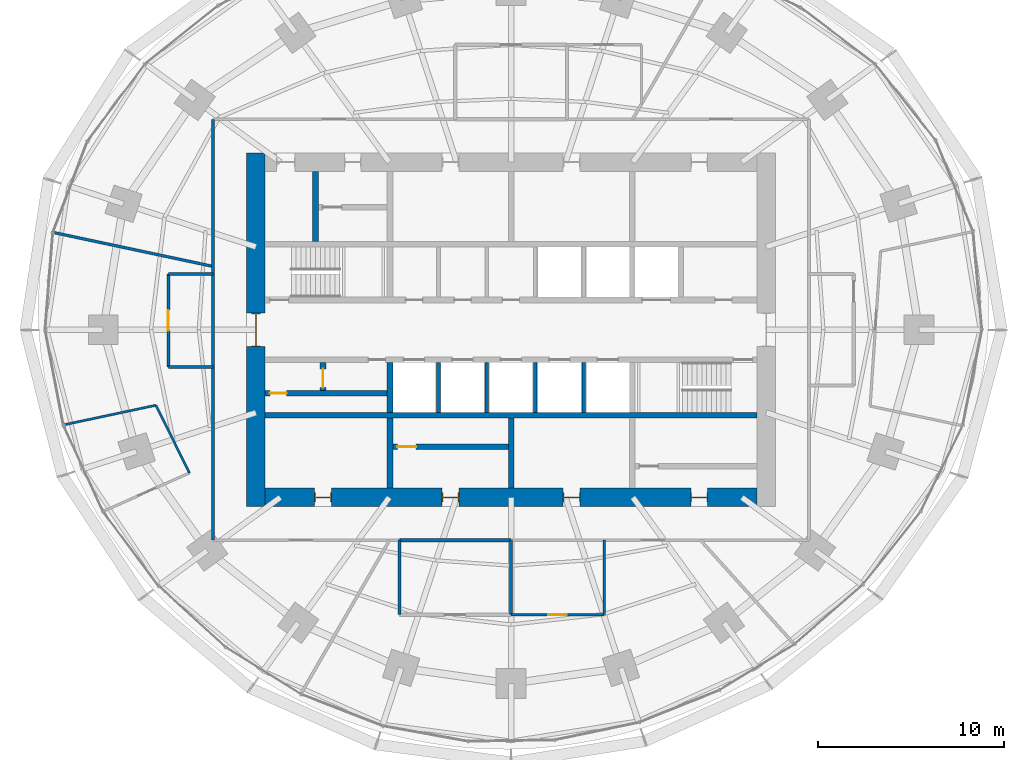
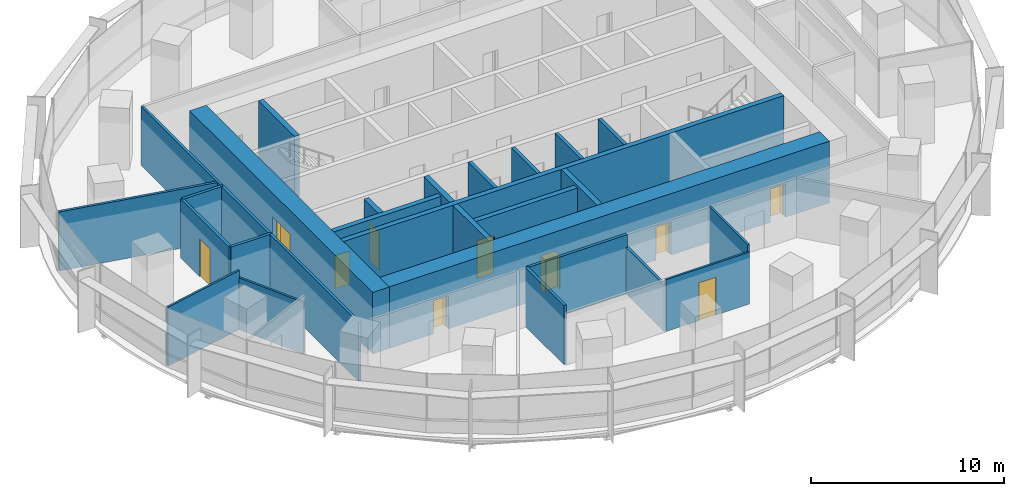
# One storey, part 10 of 14: 28 walls, 10 doors, 10 openings.
"""IFC4 building model written with IfcOpenShell, lengths in metres."""

from ifc_helpers import new_model, si_unit, direction, frame, frame_2d, origin, place, context, subcontext, project, spatial, rectangle, extrude, material, layer, layer_set, type_object, element, fill, save


model = new_model("IFC4")

# Units and contexts
model_context = context("Model", 3, precision=1e-05, world=origin(), true_north=direction((0.0, 1.0)))
body_context = subcontext(model_context, "Body", "Model", "MODEL_VIEW")
ifc_project = project(units=[si_unit("LENGTHUNIT", "METRE"), si_unit("AREAUNIT", "SQUARE_METRE"), si_unit("VOLUMEUNIT", "CUBIC_METRE"), si_unit("PLANEANGLEUNIT", "RADIAN"), si_unit("MASSUNIT", "GRAM", prefix="KILO")], contexts=[model_context])

# Site, building, storey
site_placement = place(None, origin())
site = spatial("IfcSite", under=ifc_project, at=site_placement, CompositionType="ELEMENT")
building_placement = place(site_placement, origin())
building = spatial("IfcBuilding", under=site, at=building_placement, Name="Marramba Exchange Tower", CompositionType="ELEMENT")
storey_placement = place(building_placement, frame((0.0, 0.0, 115.800048828125)))
storey = spatial("IfcBuildingStorey", under=building, at=storey_placement, Name="L27", CompositionType="ELEMENT", Elevation=115.800048828125)

# Walls
ifc_material_1 = material(Name="Plasterboard on staggered double steel studs, acoustic insulation", Category="steel")
ifc_layer_1 = layer(ifc_material_1, 0.169921875)
ifc_layer_set_1 = layer_set([ifc_layer_1], Name="Acoustic partition 170")
wall_type_1 = type_object("IfcWallType", Name="Acoustic partition 170", PredefinedType="PARTITIONING", material=ifc_layer_set_1)
wall_1_placement = place(storey_placement, frame((-18.39990234375, -2.0, 0.0), z_axis=(0.0, 0.0, 1.0), x_axis=(1.0, 0.0, 0.0)))
element("IfcWall", 1, at=wall_1_placement, inside=storey, type_object=wall_type_1, Name="Acoustic partition L27 01", PredefinedType="PARTITIONING", context=body_context, shape_type="SweptSolid", body=[
    extrude(rectangle(XDim=2.39990234375, YDim=0.169921875, at=frame_2d((1.199951171875, 0.0))), origin(), (0.0, 0.0, 1.0), 3.739990234375),
])
wall_2_placement = place(storey_placement, frame((-6.0, -11.300048828125, 0.0), z_axis=(0.0, 0.0, 1.0), x_axis=(0.0, -1.0, 0.0)))
element("IfcWall", 2, at=wall_2_placement, inside=storey, type_object=wall_type_1, Name="Acoustic partition L27 08", PredefinedType="PARTITIONING", context=body_context, shape_type="SweptSolid", body=[
    extrude(rectangle(XDim=4.0, YDim=0.169921875, at=frame_2d((2.0, 0.0))), origin(), (0.0, 0.0, 1.0), 3.739990234375),
])
wall_3_placement = place(storey_placement, frame((0.0, -11.300048828125, 0.0), z_axis=(0.0, 0.0, 1.0), x_axis=(-1.0, 0.0, 0.0)))
element("IfcWall", 3, at=wall_3_placement, inside=storey, type_object=wall_type_1, Name="Acoustic partition L27 09", PredefinedType="PARTITIONING", context=body_context, shape_type="SweptSolid", body=[
    extrude(rectangle(XDim=6.0, YDim=0.169921875, at=frame_2d((3.0, 0.0))), origin(), (0.0, 0.0, 1.0), 3.739990234375),
])
wall_4_placement = place(storey_placement, frame((0.0, -11.300048828125, 0.0), z_axis=(0.0, 0.0, 1.0), x_axis=(0.0, -1.0, 0.0)))
element("IfcWall", 4, at=wall_4_placement, inside=storey, type_object=wall_type_1, Name="Acoustic partition L27 11", PredefinedType="PARTITIONING", context=body_context, shape_type="SweptSolid", body=[
    extrude(rectangle(XDim=4.0, YDim=0.169921875, at=frame_2d((2.0, 0.0))), origin(), (0.0, 0.0, 1.0), 2.93994140625),
])
wall_5_placement = place(storey_placement, frame((-16.0, 3.0, 0.0), z_axis=(0.0, 0.0, 1.0), x_axis=(-1.0, 0.0, 0.0)))
element("IfcWall", 5, at=wall_5_placement, inside=storey, type_object=wall_type_1, Name="Acoustic partition L27 36", PredefinedType="PARTITIONING", context=body_context, shape_type="SweptSolid", body=[
    extrude(rectangle(XDim=2.39990234375, YDim=0.169921875, at=frame_2d((1.199951171875, 0.0))), origin(), (0.0, 0.0, 1.0), 3.739990234375),
])
wall_6_placement = place(storey_placement, frame((-16.0, -2.0, 0.0), z_axis=(0.0, 0.0, 1.0), x_axis=(0.0, 1.0, 0.0)))
element("IfcWall", 6, at=wall_6_placement, inside=storey, type_object=wall_type_1, Name="Acoustic partition L27 37", PredefinedType="PARTITIONING", context=body_context, shape_type="SweptSolid", body=[
    extrude(rectangle(XDim=5.0, YDim=0.169921875, at=frame_2d((2.5, 0.0))), origin(), (0.0, 0.0, 1.0), 3.739990234375),
])

# Wall, opening, door
wall_7_placement = place(storey_placement, frame((-18.39990234375, 3.0, 0.0), z_axis=(0.0, 0.0, 1.0), x_axis=(0.0, -1.0, 0.0)))
wall_7 = element("IfcWall", 7, at=wall_7_placement, inside=storey, type_object=wall_type_1, Name="Acoustic partition L27 38", PredefinedType="PARTITIONING", context=body_context, shape_type="SweptSolid", body=[
    extrude(rectangle(XDim=5.0, YDim=0.169921875, at=frame_2d((2.5, 0.0))), origin(), (0.0, 0.0, 1.0), 3.739990234375),
])
opening_1_placement = place(wall_7_placement, frame((1.949951171875, 0.0, 0.0)))
opening_1 = element("IfcOpeningElement", 8, at=opening_1_placement, cuts=wall_7, Name="Opening D15", PredefinedType="OPENING", context=body_context, shape_type="SweptSolid", body=[
    extrude(rectangle(XDim=1.10009765625, YDim=2.39990234375, at=frame_2d((0.550048828125, 1.199951171875))), frame((0.0, 0.094970703125, 0.0), z_axis=(0.0, -1.0, 0.0), x_axis=(1.0, 0.0, 0.0)), (0.0, 0.0, 1.0), 0.18994140625),
])
ifc_material_2 = material(Name="Timber door", Category="wood")
door_type_1 = type_object("IfcDoorType", Name="Glazed meeting room door 1100x2400", OperationType="SINGLE_SWING_LEFT", PredefinedType="DOOR", material=ifc_material_2)
door_1_placement = place(opening_1_placement, origin())
door_1 = element("IfcDoor", 9, at=door_1_placement, inside=storey, type_object=door_type_1, Name="D15 Meeting Room 3 L27", OperationType="SINGLE_SWING_RIGHT", OverallHeight=2.39990234375, OverallWidth=1.10009765625, PredefinedType="DOOR", context=body_context, shape_type="SweptSolid", body=[
    extrude(rectangle(XDim=1.10009765625, YDim=2.39990234375, at=frame_2d((0.550048828125, 1.199951171875))), frame((0.0, 0.02490234375, 0.0), z_axis=(0.0, -1.0, 0.0), x_axis=(1.0, 0.0, 0.0)), (0.0, 0.0, 1.0), 0.050048828125),
])
fill(opening_1, door_1)

# Walls
ifc_material_3 = material(Name="Concrete N50", Category="concrete")
ifc_layer_2 = layer(ifc_material_3, 0.199951171875)
ifc_layer_set_2 = layer_set([ifc_layer_2], Name="Core shaft wall 200")
wall_type_2 = type_object("IfcWallType", Name="Core shaft wall 200", PredefinedType="SHEAR", material=ifc_layer_set_2)
for number, where, z_axis, x_axis, name in (
    (10, (-3.89990234375, -1.75, 0.0), (0.0, 0.0, 1.0), (0.0, -1.0, 0.0), "Core wall SHS1 L27"),
    (11, (-1.300048828125, -1.75, 0.0), (0.0, 0.0, 1.0), (0.0, -1.0, 0.0), "Core wall SHS2 L27"),
    (12, (1.300048828125, -1.75, 0.0), (0.0, 0.0, 1.0), (0.0, -1.0, 0.0), "Core wall SHS3 L27"),
    (13, (3.89990234375, -1.75, 0.0), (0.0, 0.0, 1.0), (0.0, -1.0, 0.0), "Core wall SHS4 L27"),
):
    element("IfcWall", number, at=place(storey_placement, frame(where, z_axis=z_axis, x_axis=x_axis)), inside=storey, type_object=wall_type_2, Name=name, PredefinedType="SHEAR", context=body_context, shape_type="SweptSolid", body=[
        extrude(rectangle(XDim=2.699951171875, YDim=0.199951171875, at=frame_2d((1.35009765625, 0.0))), origin(), (0.0, 0.0, 1.0), 3.89990234375),
    ])

# Wall, openings, doors
ifc_layer_3 = layer(ifc_material_3, 1.0)
ifc_layer_set_3 = layer_set([ifc_layer_3], Name="Core wall 1000")
wall_type_3 = type_object("IfcWallType", Name="Core wall 1000", PredefinedType="SHEAR", material=ifc_layer_set_3)
wall_8_placement = place(storey_placement, frame((-13.199951171875, -9.0, 0.0), z_axis=(0.0, 0.0, 1.0), x_axis=(1.0, 0.0, 0.0)))
wall_8 = element("IfcWall", 14, at=wall_8_placement, inside=storey, type_object=wall_type_3, Name="Core wall S L27", PredefinedType="SHEAR", context=body_context, shape_type="SweptSolid", body=[
    extrude(rectangle(XDim=26.39990234375, YDim=1.0, at=frame_2d((13.199951171875, 0.0))), origin(), (0.0, 0.0, 1.0), 3.89990234375),
])
opening_2_placement = place(wall_8_placement, frame((2.64990234375, 0.0, 0.0)))
opening_2 = element("IfcOpeningElement", 15, at=opening_2_placement, cuts=wall_8, Name="Opening D5", PredefinedType="OPENING", context=body_context, shape_type="SweptSolid", body=[
    extrude(rectangle(XDim=0.89990234375, YDim=2.10009765625, at=frame_2d((0.449951171875, 1.050048828125))), frame((0.0, 0.510009765625, 0.0), z_axis=(0.0, -1.0, 0.0), x_axis=(1.0, 0.0, 0.0)), (0.0, 0.0, 1.0), 1.02001953125),
])
opening_3_placement = place(wall_8_placement, frame((9.5, 0.0, 0.0)))
opening_3 = element("IfcOpeningElement", 16, at=opening_3_placement, cuts=wall_8, Name="Opening D5", PredefinedType="OPENING", context=body_context, shape_type="SweptSolid", body=[
    extrude(rectangle(XDim=0.89990234375, YDim=2.10009765625, at=frame_2d((0.449951171875, 1.050048828125))), frame((0.0, 0.510009765625, 0.0), z_axis=(0.0, -1.0, 0.0), x_axis=(1.0, 0.0, 0.0)), (0.0, 0.0, 1.0), 1.02001953125),
])
opening_4_placement = place(wall_8_placement, frame((16.0, 0.0, 0.0)))
opening_4 = element("IfcOpeningElement", 17, at=opening_4_placement, cuts=wall_8, Name="Opening D5", PredefinedType="OPENING", context=body_context, shape_type="SweptSolid", body=[
    extrude(rectangle(XDim=0.89990234375, YDim=2.10009765625, at=frame_2d((0.449951171875, 1.050048828125))), frame((0.0, 0.510009765625, 0.0), z_axis=(0.0, -1.0, 0.0), x_axis=(1.0, 0.0, 0.0)), (0.0, 0.0, 1.0), 1.02001953125),
])
opening_5_placement = place(wall_8_placement, frame((22.85009765625, 0.0, 0.0)))
opening_5 = element("IfcOpeningElement", 18, at=opening_5_placement, cuts=wall_8, Name="Opening D5", PredefinedType="OPENING", context=body_context, shape_type="SweptSolid", body=[
    extrude(rectangle(XDim=0.89990234375, YDim=2.10009765625, at=frame_2d((0.449951171875, 1.050048828125))), frame((0.0, 0.510009765625, 0.0), z_axis=(0.0, -1.0, 0.0), x_axis=(1.0, 0.0, 0.0)), (0.0, 0.0, 1.0), 1.02001953125),
])
ifc_material_4 = material(Name="Steel-framed door", Category="steel")
door_type_2 = type_object("IfcDoorType", Name="Service door 900x2100", OperationType="SINGLE_SWING_LEFT", PredefinedType="DOOR", material=ifc_material_4)
door_2_placement = place(opening_2_placement, origin())
door_2 = element("IfcDoor", 19, at=door_2_placement, inside=storey, type_object=door_type_2, Name="D5 ahu L27", OperationType="SINGLE_SWING_LEFT", OverallHeight=2.10009765625, OverallWidth=0.89990234375, PredefinedType="DOOR", context=body_context, shape_type="SweptSolid", body=[
    extrude(rectangle(XDim=0.81982421875, YDim=2.06005859375, at=frame_2d((0.449951171875, 1.030029296875))), frame((0.0, 0.02490234375, 0.0), z_axis=(0.0, -1.0, 0.0), x_axis=(1.0, 0.0, 0.0)), (0.0, 0.0, 1.0), 0.050048828125),
    extrude(rectangle(XDim=0.04, YDim=2.10009765625, at=frame_2d((0.02001953125, 1.050048828125))), frame((0.0, 0.25, 0.0), z_axis=(0.0, -1.0, 0.0), x_axis=(1.0, 0.0, 0.0)), (0.0, 0.0, 1.0), 0.5),
    extrude(rectangle(XDim=0.04, YDim=2.10009765625, at=frame_2d((0.8798828125, 1.050048828125))), frame((0.0, 0.25, 0.0), z_axis=(0.0, -1.0, 0.0), x_axis=(1.0, 0.0, 0.0)), (0.0, 0.0, 1.0), 0.5),
    extrude(rectangle(XDim=0.81982421875, YDim=0.04, at=frame_2d((0.449951171875, 2.080078125))), frame((0.0, 0.25, 0.0), z_axis=(0.0, -1.0, 0.0), x_axis=(1.0, 0.0, 0.0)), (0.0, 0.0, 1.0), 0.5),
])
fill(opening_2, door_2)
door_3_placement = place(opening_3_placement, origin())
door_3 = element("IfcDoor", 20, at=door_3_placement, inside=storey, type_object=door_type_2, Name="D5 store L27", OperationType="SINGLE_SWING_RIGHT", OverallHeight=2.10009765625, OverallWidth=0.89990234375, PredefinedType="DOOR", context=body_context, shape_type="SweptSolid", body=[
    extrude(rectangle(XDim=0.81982421875, YDim=2.06005859375, at=frame_2d((0.449951171875, 1.030029296875))), frame((0.0, 0.02490234375, 0.0), z_axis=(0.0, -1.0, 0.0), x_axis=(1.0, 0.0, 0.0)), (0.0, 0.0, 1.0), 0.050048828125),
    extrude(rectangle(XDim=0.04, YDim=2.10009765625, at=frame_2d((0.02001953125, 1.050048828125))), frame((0.0, 0.25, 0.0), z_axis=(0.0, -1.0, 0.0), x_axis=(1.0, 0.0, 0.0)), (0.0, 0.0, 1.0), 0.5),
    extrude(rectangle(XDim=0.04, YDim=2.10009765625, at=frame_2d((0.8798828125, 1.050048828125))), frame((0.0, 0.25, 0.0), z_axis=(0.0, -1.0, 0.0), x_axis=(1.0, 0.0, 0.0)), (0.0, 0.0, 1.0), 0.5),
    extrude(rectangle(XDim=0.81982421875, YDim=0.04, at=frame_2d((0.449951171875, 2.080078125))), frame((0.0, 0.25, 0.0), z_axis=(0.0, -1.0, 0.0), x_axis=(1.0, 0.0, 0.0)), (0.0, 0.0, 1.0), 0.5),
])
fill(opening_3, door_3)
door_4_placement = place(opening_4_placement, origin())
door_4 = element("IfcDoor", 21, at=door_4_placement, inside=storey, type_object=door_type_2, Name="D5 switch L27", OperationType="SINGLE_SWING_RIGHT", OverallHeight=2.10009765625, OverallWidth=0.89990234375, PredefinedType="DOOR", context=body_context, shape_type="SweptSolid", body=[
    extrude(rectangle(XDim=0.81982421875, YDim=2.06005859375, at=frame_2d((0.449951171875, 1.030029296875))), frame((0.0, 0.02490234375, 0.0), z_axis=(0.0, -1.0, 0.0), x_axis=(1.0, 0.0, 0.0)), (0.0, 0.0, 1.0), 0.050048828125),
    extrude(rectangle(XDim=0.04, YDim=2.10009765625, at=frame_2d((0.02001953125, 1.050048828125))), frame((0.0, 0.25, 0.0), z_axis=(0.0, -1.0, 0.0), x_axis=(1.0, 0.0, 0.0)), (0.0, 0.0, 1.0), 0.5),
    extrude(rectangle(XDim=0.04, YDim=2.10009765625, at=frame_2d((0.8798828125, 1.050048828125))), frame((0.0, 0.25, 0.0), z_axis=(0.0, -1.0, 0.0), x_axis=(1.0, 0.0, 0.0)), (0.0, 0.0, 1.0), 0.5),
    extrude(rectangle(XDim=0.81982421875, YDim=0.04, at=frame_2d((0.449951171875, 2.080078125))), frame((0.0, 0.25, 0.0), z_axis=(0.0, -1.0, 0.0), x_axis=(1.0, 0.0, 0.0)), (0.0, 0.0, 1.0), 0.5),
])
fill(opening_4, door_4)
door_5_placement = place(opening_5_placement, origin())
door_5 = element("IfcDoor", 22, at=door_5_placement, inside=storey, type_object=door_type_2, Name="D5 cstore L27", OperationType="SINGLE_SWING_RIGHT", OverallHeight=2.10009765625, OverallWidth=0.89990234375, PredefinedType="DOOR", context=body_context, shape_type="SweptSolid", body=[
    extrude(rectangle(XDim=0.81982421875, YDim=2.06005859375, at=frame_2d((0.449951171875, 1.030029296875))), frame((0.0, 0.02490234375, 0.0), z_axis=(0.0, -1.0, 0.0), x_axis=(1.0, 0.0, 0.0)), (0.0, 0.0, 1.0), 0.050048828125),
    extrude(rectangle(XDim=0.04, YDim=2.10009765625, at=frame_2d((0.02001953125, 1.050048828125))), frame((0.0, 0.25, 0.0), z_axis=(0.0, -1.0, 0.0), x_axis=(1.0, 0.0, 0.0)), (0.0, 0.0, 1.0), 0.5),
    extrude(rectangle(XDim=0.04, YDim=2.10009765625, at=frame_2d((0.8798828125, 1.050048828125))), frame((0.0, 0.25, 0.0), z_axis=(0.0, -1.0, 0.0), x_axis=(1.0, 0.0, 0.0)), (0.0, 0.0, 1.0), 0.5),
    extrude(rectangle(XDim=0.81982421875, YDim=0.04, at=frame_2d((0.449951171875, 2.080078125))), frame((0.0, 0.25, 0.0), z_axis=(0.0, -1.0, 0.0), x_axis=(1.0, 0.0, 0.0)), (0.0, 0.0, 1.0), 0.5),
])
fill(opening_5, door_5)

# Wall, opening, door
wall_9_placement = place(storey_placement, frame((-13.699951171875, 9.5, 0.0), z_axis=(0.0, 0.0, 1.0), x_axis=(0.0, -1.0, 0.0)))
wall_9 = element("IfcWall", 23, at=wall_9_placement, inside=storey, type_object=wall_type_3, Name="Core wall W L27", PredefinedType="SHEAR", context=body_context, shape_type="SweptSolid", body=[
    extrude(rectangle(XDim=19.0, YDim=1.0, at=frame_2d((9.5, 0.0))), origin(), (0.0, 0.0, 1.0), 3.89990234375),
])
opening_6_placement = place(wall_9_placement, frame((8.60009765625, 0.0, 0.0)))
opening_6 = element("IfcOpeningElement", 24, at=opening_6_placement, cuts=wall_9, Name="Opening D1", PredefinedType="OPENING", context=body_context, shape_type="SweptSolid", body=[
    extrude(rectangle(XDim=1.800048828125, YDim=2.39990234375, at=frame_2d((0.89990234375, 1.199951171875))), frame((0.0, 0.510009765625, 0.0), z_axis=(0.0, -1.0, 0.0), x_axis=(1.0, 0.0, 0.0)), (0.0, 0.0, 1.0), 1.02001953125),
])
door_type_3 = type_object("IfcDoorType", Name="Lobby exit door 1800x2400", OperationType="DOUBLE_DOOR_SINGLE_SWING", PredefinedType="DOOR", material=ifc_material_4)
door_6_placement = place(opening_6_placement, origin())
door_6 = element("IfcDoor", 25, at=door_6_placement, inside=storey, type_object=door_type_3, Name="D1 lobby exit west L27", OperationType="DOUBLE_DOOR_SINGLE_SWING", OverallHeight=2.39990234375, OverallWidth=1.800048828125, PredefinedType="DOOR", context=body_context, shape_type="SweptSolid", body=[
    extrude(rectangle(XDim=1.719970703125, YDim=2.35986328125, at=frame_2d((0.89990234375, 1.179931640625))), frame((0.0, 0.02490234375, 0.0), z_axis=(0.0, -1.0, 0.0), x_axis=(1.0, 0.0, 0.0)), (0.0, 0.0, 1.0), 0.050048828125),
    extrude(rectangle(XDim=0.04, YDim=2.39990234375, at=frame_2d((0.02001953125, 1.199951171875))), frame((0.0, 0.25, 0.0), z_axis=(0.0, -1.0, 0.0), x_axis=(1.0, 0.0, 0.0)), (0.0, 0.0, 1.0), 0.5),
    extrude(rectangle(XDim=0.04, YDim=2.39990234375, at=frame_2d((1.780029296875, 1.199951171875))), frame((0.0, 0.25, 0.0), z_axis=(0.0, -1.0, 0.0), x_axis=(1.0, 0.0, 0.0)), (0.0, 0.0, 1.0), 0.5),
    extrude(rectangle(XDim=1.719970703125, YDim=0.04, at=frame_2d((0.89990234375, 2.3798828125))), frame((0.0, 0.25, 0.0), z_axis=(0.0, -1.0, 0.0), x_axis=(1.0, 0.0, 0.0)), (0.0, 0.0, 1.0), 0.5),
])
fill(opening_6, door_6)

# Walls
ifc_layer_4 = layer(ifc_material_3, 0.300048828125)
ifc_layer_set_4 = layer_set([ifc_layer_4], Name="Core wall 300")
wall_type_4 = type_object("IfcWallType", Name="Core wall 300", PredefinedType="SHEAR", material=ifc_layer_set_4)
wall_10_placement = place(storey_placement, frame((-13.199951171875, -4.60009765625, 0.0), z_axis=(0.0, 0.0, 1.0), x_axis=(1.0, 0.0, 0.0)))
element("IfcWall", 26, at=wall_10_placement, inside=storey, type_object=wall_type_4, Name="Core wall BS L27", PredefinedType="SHEAR", context=body_context, shape_type="SweptSolid", body=[
    extrude(rectangle(XDim=26.39990234375, YDim=0.300048828125, at=frame_2d((13.199951171875, 0.0))), origin(), (0.0, 0.0, 1.0), 3.89990234375),
])
wall_11_placement = place(storey_placement, frame((-6.5, -1.75, 0.0), z_axis=(0.0, 0.0, 1.0), x_axis=(0.0, -1.0, 0.0)))
element("IfcWall", 27, at=wall_11_placement, inside=storey, type_object=wall_type_4, Name="Core wall X0Sa L27", PredefinedType="SHEAR", context=body_context, shape_type="SweptSolid", body=[
    extrude(rectangle(XDim=2.699951171875, YDim=0.300048828125, at=frame_2d((1.35009765625, 0.0))), origin(), (0.0, 0.0, 1.0), 3.89990234375),
])
for number, where, z_axis, x_axis, name in (
    (28, (-6.5, -4.75, 0.0), (0.0, 0.0, 1.0), (0.0, -1.0, 0.0), "Core wall X0Sb L27"),
    (29, (0.0, -4.75, 0.0), (0.0, 0.0, 1.0), (0.0, -1.0, 0.0), "Core wall MS L27"),
    (30, (-10.5, 4.75, 0.0), (0.0, 0.0, 1.0), (0.0, 1.0, 0.0), "Core wall WD L27"),
):
    element("IfcWall", number, at=place(storey_placement, frame(where, z_axis=z_axis, x_axis=x_axis)), inside=storey, type_object=wall_type_4, Name=name, PredefinedType="SHEAR", context=body_context, shape_type="SweptSolid", body=[
        extrude(rectangle(XDim=3.75, YDim=0.300048828125, at=frame_2d((1.875, 0.0))), origin(), (0.0, 0.0, 1.0), 3.89990234375),
    ])
ifc_material_5 = material(Name="Plasterboard on steel studs", Category="steel")
ifc_layer_5 = layer(ifc_material_5, 0.1201171875)
ifc_layer_set_5 = layer_set([ifc_layer_5], Name="Partition 120")
wall_type_5 = type_object("IfcWallType", Name="Partition 120", PredefinedType="PARTITIONING", material=ifc_layer_set_5)
wall_12_placement = place(storey_placement, frame((-19.069580078125, -4.053466796875, 0.0), z_axis=(0.0, 0.0, 1.0), x_axis=(-0.978149046495, -0.207904888932, 0.0)))
element("IfcWall", 31, at=wall_12_placement, inside=storey, type_object=wall_type_5, Name="Partition L27 02", PredefinedType="PARTITIONING", context=body_context, shape_type="SweptSolid", body=[
    extrude(rectangle(XDim=5.000244140625, YDim=0.1201171875, at=frame_2d((2.5, 0.0))), origin(), (0.0, 0.0, 1.0), 3.739990234375),
])
wall_13_placement = place(storey_placement, frame((-17.268310546875, -7.6884765625, 0.0), z_axis=(0.0, 0.0, 1.0), x_axis=(-0.444009146511, 0.896022252968, 0.0)))
element("IfcWall", 32, at=wall_13_placement, inside=storey, type_object=wall_type_5, Name="Partition L27 03", PredefinedType="PARTITIONING", context=body_context, shape_type="SweptSolid", body=[
    extrude(rectangle(XDim=4.056884765625, YDim=0.1201171875, at=frame_2d((2.0283203125, 0.0))), origin(), (0.0, 0.0, 1.0), 3.285888671875),
])

# Wall, opening, door
wall_14_placement = place(storey_placement, frame((0.0, -15.300048828125, 0.0), z_axis=(0.0, 0.0, 1.0), x_axis=(1.0, 0.0, 0.0)))
wall_14 = element("IfcWall", 33, at=wall_14_placement, inside=storey, type_object=wall_type_5, Name="Partition L27 12", PredefinedType="PARTITIONING", context=body_context, shape_type="SweptSolid", body=[
    extrude(rectangle(XDim=5.0, YDim=0.1201171875, at=frame_2d((2.5, 0.0))), origin(), (0.0, 0.0, 1.0), 3.285888671875),
])
opening_7_placement = place(wall_14_placement, frame((2.0, 0.0, 0.0)))
opening_7 = element("IfcOpeningElement", 34, at=opening_7_placement, cuts=wall_14, Name="Opening D9", PredefinedType="OPENING", context=body_context, shape_type="SweptSolid", body=[
    extrude(rectangle(XDim=1.0, YDim=2.39990234375, at=frame_2d((0.5, 1.199951171875))), frame((0.0, 0.070068359375, 0.0), z_axis=(0.0, -1.0, 0.0), x_axis=(1.0, 0.0, 0.0)), (0.0, 0.0, 1.0), 0.14013671875),
])
door_type_4 = type_object("IfcDoorType", Name="Room door 1000x2400", OperationType="SINGLE_SWING_LEFT", PredefinedType="DOOR", material=ifc_material_2)
door_7_placement = place(opening_7_placement, origin())
door_7 = element("IfcDoor", 35, at=door_7_placement, inside=storey, type_object=door_type_4, Name="D9 Pantry 2 L27", OperationType="SINGLE_SWING_RIGHT", OverallHeight=2.39990234375, OverallWidth=1.0, PredefinedType="DOOR", context=body_context, shape_type="SweptSolid", body=[
    extrude(rectangle(XDim=1.0, YDim=2.39990234375, at=frame_2d((0.5, 1.199951171875))), frame((0.0, 0.02490234375, 0.0), z_axis=(0.0, -1.0, 0.0), x_axis=(1.0, 0.0, 0.0)), (0.0, 0.0, 1.0), 0.050048828125),
])
fill(opening_7, door_7)

# Wall
wall_15_placement = place(storey_placement, frame((5.0, -15.300048828125, 0.0), z_axis=(0.0, 0.0, 1.0), x_axis=(0.0, 1.0, 0.0)))
element("IfcWall", 36, at=wall_15_placement, inside=storey, type_object=wall_type_5, Name="Partition L27 13", PredefinedType="PARTITIONING", context=body_context, shape_type="SweptSolid", body=[
    extrude(rectangle(XDim=4.0, YDim=0.1201171875, at=frame_2d((2.0, 0.0))), origin(), (0.0, 0.0, 1.0), 3.739990234375),
])

# Wall, opening, door
ifc_material_6 = material(Name="Core-filled concrete blockwork", Category="masonry")
ifc_layer_6 = layer(ifc_material_6, 0.300048828125)
ifc_layer_set_6 = layer_set([ifc_layer_6], Name="Riser enclosure wall 300")
wall_type_6 = type_object("IfcWallType", Name="Riser enclosure wall 300", PredefinedType="SOLIDWALL", material=ifc_layer_set_6)
wall_16_placement = place(storey_placement, frame((-13.199951171875, -3.39990234375, 0.0), z_axis=(0.0, 0.0, 1.0), x_axis=(1.0, 0.0, 0.0)))
wall_16 = element("IfcWall", 37, at=wall_16_placement, inside=storey, type_object=wall_type_6, Name="Riser enclosure wall L27", PredefinedType="SOLIDWALL", context=body_context, shape_type="SweptSolid", body=[
    extrude(rectangle(XDim=6.550048828125, YDim=0.300048828125, at=frame_2d((3.27490234375, 0.0))), origin(), (0.0, 0.0, 1.0), 3.739990234375),
])
opening_8_placement = place(wall_16_placement, frame((0.25, 0.0, 0.0)))
opening_8 = element("IfcOpeningElement", 38, at=opening_8_placement, cuts=wall_16, Name="Opening D5", PredefinedType="OPENING", context=body_context, shape_type="SweptSolid", body=[
    extrude(rectangle(XDim=0.89990234375, YDim=2.10009765625, at=frame_2d((0.449951171875, 1.050048828125))), frame((0.0, 0.159912109375, 0.0), z_axis=(0.0, -1.0, 0.0), x_axis=(1.0, 0.0, 0.0)), (0.0, 0.0, 1.0), 0.320068359375),
])
door_8_placement = place(opening_8_placement, origin())
door_8 = element("IfcDoor", 39, at=door_8_placement, inside=storey, type_object=door_type_2, Name="D5 electrical riser back L27", OperationType="SINGLE_SWING_LEFT", OverallHeight=2.10009765625, OverallWidth=0.89990234375, PredefinedType="DOOR", context=body_context, shape_type="SweptSolid", body=[
    extrude(rectangle(XDim=0.89990234375, YDim=2.10009765625, at=frame_2d((0.449951171875, 1.050048828125))), frame((0.0, 0.02490234375, 0.0), z_axis=(0.0, -1.0, 0.0), x_axis=(1.0, 0.0, 0.0)), (0.0, 0.0, 1.0), 0.050048828125),
])
fill(opening_8, door_8)

ifc_material_7 = material(Name="Plasterboard on steel studs, insulated, unrated", Category="steel")
ifc_layer_7 = layer(ifc_material_7, 0.300048828125)
ifc_layer_set_7 = layer_set([ifc_layer_7], Name="Store partition 300")
wall_type_7 = type_object("IfcWallType", Name="Store partition 300", PredefinedType="PARTITIONING", material=ifc_layer_set_7)
wall_17_placement = place(storey_placement, frame((-6.35009765625, -6.27197265625, 0.0), z_axis=(0.0, 0.0, 1.0), x_axis=(1.0, 0.0, 0.0)))
wall_17 = element("IfcWall", 40, at=wall_17_placement, inside=storey, type_object=wall_type_7, Name="Store partition L27 store", PredefinedType="PARTITIONING", context=body_context, shape_type="SweptSolid", body=[
    extrude(rectangle(XDim=6.2001953125, YDim=0.300048828125, at=frame_2d((3.10009765625, 0.0))), origin(), (0.0, 0.0, 1.0), 3.739990234375),
])
opening_9_placement = place(wall_17_placement, frame((0.25, 0.0, 0.0)))
opening_9 = element("IfcOpeningElement", 41, at=opening_9_placement, cuts=wall_17, Name="Opening D9", PredefinedType="OPENING", context=body_context, shape_type="SweptSolid", body=[
    extrude(rectangle(XDim=1.0, YDim=2.39990234375, at=frame_2d((0.5, 1.199951171875))), frame((0.0, 0.159912109375, 0.0), z_axis=(0.0, -1.0, 0.0), x_axis=(1.0, 0.0, 0.0)), (0.0, 0.0, 1.0), 0.320068359375),
])
door_9_placement = place(opening_9_placement, origin())
door_9 = element("IfcDoor", 42, at=door_9_placement, inside=storey, type_object=door_type_4, Name="D9 stationery store L27", OperationType="SINGLE_SWING_LEFT", OverallHeight=2.39990234375, OverallWidth=1.0, PredefinedType="DOOR", context=body_context, shape_type="SweptSolid", body=[
    extrude(rectangle(XDim=1.0, YDim=2.39990234375, at=frame_2d((0.5, 1.199951171875))), frame((0.0, 0.02490234375, 0.0), z_axis=(0.0, -1.0, 0.0), x_axis=(1.0, 0.0, 0.0)), (0.0, 0.0, 1.0), 0.050048828125),
])
fill(opening_9, door_9)

wall_18_placement = place(storey_placement, frame((-10.10009765625, -3.25, 0.0), z_axis=(0.0, 0.0, 1.0), x_axis=(0.0, 1.0, 0.0)))
wall_18 = element("IfcWall", 43, at=wall_18_placement, inside=storey, type_object=wall_type_7, Name="Store partition L27 tool store", PredefinedType="PARTITIONING", context=body_context, shape_type="SweptSolid", body=[
    extrude(rectangle(XDim=1.5, YDim=0.300048828125, at=frame_2d((0.75, 0.0))), origin(), (0.0, 0.0, 1.0), 3.739990234375),
])
opening_10_placement = place(wall_18_placement, frame((0.14990234375, 0.0, 0.0)))
opening_10 = element("IfcOpeningElement", 44, at=opening_10_placement, cuts=wall_18, Name="Opening D9", PredefinedType="OPENING", context=body_context, shape_type="SweptSolid", body=[
    extrude(rectangle(XDim=1.0, YDim=2.39990234375, at=frame_2d((0.5, 1.199951171875))), frame((0.0, 0.159912109375, 0.0), z_axis=(0.0, -1.0, 0.0), x_axis=(1.0, 0.0, 0.0)), (0.0, 0.0, 1.0), 0.320068359375),
])
door_10_placement = place(opening_10_placement, origin())
door_10 = element("IfcDoor", 45, at=door_10_placement, inside=storey, type_object=door_type_4, Name="D9 tool store L27", OperationType="SINGLE_SWING_LEFT", OverallHeight=2.39990234375, OverallWidth=1.0, PredefinedType="DOOR", context=body_context, shape_type="SweptSolid", body=[
    extrude(rectangle(XDim=1.0, YDim=2.39990234375, at=frame_2d((0.5, 1.199951171875))), frame((0.0, 0.02490234375, 0.0), z_axis=(0.0, -1.0, 0.0), x_axis=(1.0, 0.0, 0.0)), (0.0, 0.0, 1.0), 0.050048828125),
])
fill(opening_10, door_10)

# Walls
ifc_material_8 = material(Name="Fire-rated plasterboard on steel studs, acoustic insulation", Category="steel")
ifc_layer_8 = layer(ifc_material_8, 0.14990234375)
ifc_layer_set_8 = layer_set([ifc_layer_8], Name="Tenancy wall 150")
wall_type_8 = type_object("IfcWallType", Name="Tenancy wall 150", PredefinedType="PARTITIONING", material=ifc_layer_set_8)
wall_19_placement = place(storey_placement, frame((-16.0, -2.0, 0.0), z_axis=(0.0, 0.0, 1.0), x_axis=(0.0, -1.0, 0.0)))
element("IfcWall", 46, at=wall_19_placement, inside=storey, type_object=wall_type_8, Name="Tenancy wall L27 04", PredefinedType="PARTITIONING", context=body_context, shape_type="SweptSolid", body=[
    extrude(rectangle(XDim=9.300048828125, YDim=0.14990234375, at=frame_2d((4.64990234375, 0.0))), origin(), (0.0, 0.0, 1.0), 3.739990234375),
])
wall_20_placement = place(storey_placement, frame((-16.0, 11.300048828125, 0.0), z_axis=(0.0, 0.0, 1.0), x_axis=(0.0, -1.0, 0.0)))
element("IfcWall", 47, at=wall_20_placement, inside=storey, type_object=wall_type_8, Name="Tenancy wall L27 34", PredefinedType="PARTITIONING", context=body_context, shape_type="SweptSolid", body=[
    extrude(rectangle(XDim=8.300048828125, YDim=0.14990234375, at=frame_2d((4.14990234375, 0.0))), origin(), (0.0, 0.0, 1.0), 3.739990234375),
])
wall_21_placement = place(storey_placement, frame((-16.0, 3.40087890625, 0.0), z_axis=(0.0, 0.0, 1.0), x_axis=(-0.978149592602, 0.207902319596, 0.0)))
element("IfcWall", 48, at=wall_21_placement, inside=storey, type_object=wall_type_8, Name="Tenancy wall L27 35", PredefinedType="PARTITIONING", context=body_context, shape_type="SweptSolid", body=[
    extrude(rectangle(XDim=8.71337890625, YDim=0.14990234375, at=frame_2d((4.356689453125, 0.0))), origin(), (0.0, 0.0, 1.0), 3.739990234375),
])

save(model, "model.ifc")
